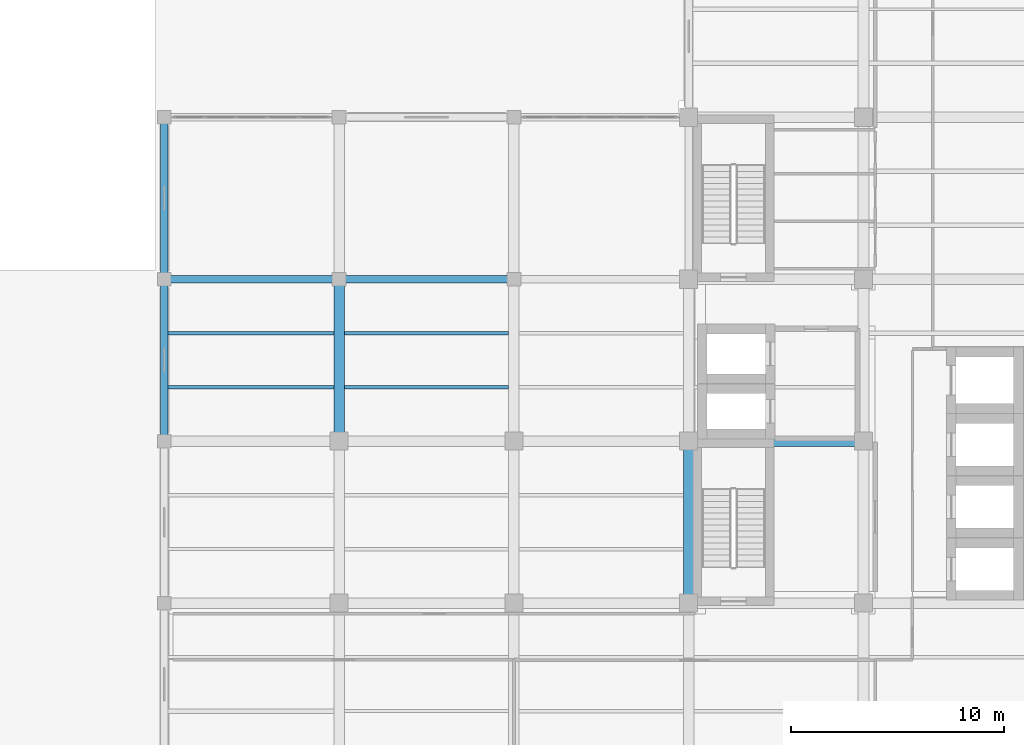
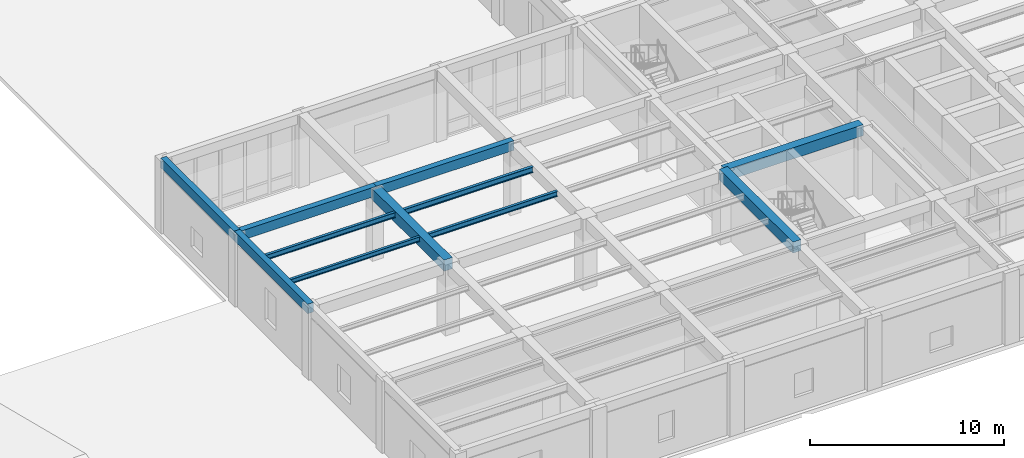
# One storey, part 3 of 23: 11 beams.
"""IFC4 building model written with IfcOpenShell, lengths in metres."""

from ifc_helpers import new_model, si_unit, direction, frame, origin, origin_2d, place, context, subcontext, project, spatial, rectangle, i_section, extrude, material, material_profile, profile_set, type_object, element, save


model = new_model("IFC4")

# Units and contexts
model_context = context("Model", 3, precision=1e-05, world=origin(), true_north=direction((0.0, 1.0)))
body_context = subcontext(model_context, "Body", "Model", "MODEL_VIEW")
ifc_project = project(units=[si_unit("LENGTHUNIT", "METRE"), si_unit("AREAUNIT", "SQUARE_METRE"), si_unit("VOLUMEUNIT", "CUBIC_METRE"), si_unit("PLANEANGLEUNIT", "RADIAN"), si_unit("MASSUNIT", "GRAM", prefix="KILO")], contexts=[model_context])

# Site, building, storey
site_placement = place(None, origin())
site = spatial("IfcSite", under=ifc_project, at=site_placement, CompositionType="ELEMENT")
building_placement = place(site_placement, origin())
building = spatial("IfcBuilding", under=site, at=building_placement, Name="Qandaris Square Conservatory and Botanical Centre", CompositionType="ELEMENT")
storey_placement = place(building_placement, frame((0.0, 0.0, 15.0)))
storey = spatial("IfcBuildingStorey", under=building, at=storey_placement, Name="L03", CompositionType="ELEMENT", Elevation=15.0)

# Beams
ifc_material_1 = material(Name="Steel S355", Category="steel")
ifc_material_profile_1 = material_profile(ifc_material_1, i_section(OverallWidth=0.14990234375, OverallDepth=0.300048828125, WebThickness=0.007080078125, FlangeThickness=0.0107421875, FilletRadius=0.014892578125, at=origin_2d()), Name="IPE 300")
ifc_profile_set_1 = profile_set([ifc_material_profile_1], Name="Steel S355")
beam_type_1 = type_object("IfcBeamType", Name="Composite Lab Joist IPE 300", PredefinedType="JOIST", material=ifc_profile_set_1)
beam_1_placement = place(storey_placement, frame((114.77490234375, 34.333251953125, 4.320068359375), z_axis=(1.0, 0.0, 0.0), x_axis=(0.0, 1.0, 0.0)))
element("IfcBeam", 1, at=beam_1_placement, inside=storey, type_object=beam_type_1, Name="L03 Composite Joist 1637", PredefinedType="JOIST", context=body_context, shape_type="SweptSolid", body=[
    extrude(i_section(OverallWidth=0.14990234375, OverallDepth=0.300048828125, WebThickness=0.007080078125, FlangeThickness=0.0107421875, FilletRadius=0.014892578125, at=origin_2d()), origin(), (0.0, 0.0, 1.0), 7.775146484375),
])
ifc_material_profile_2 = material_profile(ifc_material_1, i_section(OverallWidth=0.159912109375, OverallDepth=0.330078125, WebThickness=0.007568359375, FlangeThickness=0.011474609375, FilletRadius=0.01806640625, at=origin_2d()), Name="IPE 330")
ifc_profile_set_2 = profile_set([ifc_material_profile_2], Name="Steel S355")
beam_type_2 = type_object("IfcBeamType", Name="Composite Lab Joist IPE 330", PredefinedType="JOIST", material=ifc_profile_set_2)
beam_2_placement = place(storey_placement, frame((114.77490234375, 36.86669921875, 4.304931640625), z_axis=(1.0, 0.0, 0.0), x_axis=(0.0, 1.0, 0.0)))
element("IfcBeam", 2, at=beam_2_placement, inside=storey, type_object=beam_type_2, Name="L03 Composite Joist 1638", PredefinedType="JOIST", context=body_context, shape_type="SweptSolid", body=[
    extrude(i_section(OverallWidth=0.159912109375, OverallDepth=0.330078125, WebThickness=0.007568359375, FlangeThickness=0.011474609375, FilletRadius=0.01806640625, at=origin_2d()), origin(), (0.0, 0.0, 1.0), 7.775146484375),
])
beam_3_placement = place(storey_placement, frame((123.050048828125, 34.333251953125, 4.304931640625), z_axis=(1.0, 0.0, 0.0), x_axis=(0.0, 1.0, 0.0)))
element("IfcBeam", 3, at=beam_3_placement, inside=storey, type_object=beam_type_2, Name="L03 Composite Joist 1643", PredefinedType="JOIST", context=body_context, shape_type="SweptSolid", body=[
    extrude(i_section(OverallWidth=0.159912109375, OverallDepth=0.330078125, WebThickness=0.007568359375, FlangeThickness=0.011474609375, FilletRadius=0.01806640625, at=origin_2d()), origin(), (0.0, 0.0, 1.0), 7.699951171875),
])
ifc_material_profile_3 = material_profile(ifc_material_1, i_section(OverallWidth=0.169921875, OverallDepth=0.360107421875, WebThickness=0.008056640625, FlangeThickness=0.0126953125, FilletRadius=0.01806640625, at=origin_2d()), Name="IPE 360")
ifc_profile_set_3 = profile_set([ifc_material_profile_3], Name="Steel S355")
beam_type_3 = type_object("IfcBeamType", Name="Composite Lab Joist IPE 360", PredefinedType="JOIST", material=ifc_profile_set_3)
beam_4_placement = place(storey_placement, frame((123.050048828125, 36.86669921875, 4.2900390625), z_axis=(1.0, 0.0, 0.0), x_axis=(0.0, 1.0, 0.0)))
element("IfcBeam", 4, at=beam_4_placement, inside=storey, type_object=beam_type_3, Name="L03 Composite Joist 1644", PredefinedType="JOIST", context=body_context, shape_type="SweptSolid", body=[
    extrude(i_section(OverallWidth=0.169921875, OverallDepth=0.360107421875, WebThickness=0.008056640625, FlangeThickness=0.0126953125, FilletRadius=0.01806640625, at=origin_2d()), origin(), (0.0, 0.0, 1.0), 7.699951171875),
])
ifc_material_2 = material(Name="Concrete C50/60", Category="concrete")
ifc_material_profile_4 = material_profile(ifc_material_2, rectangle(XDim=0.35009765625, YDim=0.60009765625, at=origin_2d()), Name="RC-SP 350x600")
ifc_profile_set_4 = profile_set([ifc_material_profile_4], Name="Concrete C50/60")
beam_type_4 = type_object("IfcBeamType", Name="RC Edge Spandrel Beam 350x600", PredefinedType="SPANDREL", material=ifc_profile_set_4)
for number, where, z_axis, x_axis, name in (
    (5, (114.60009765625, 39.39990234375, 4.2451171875), (1.0, 0.0, 0.0), (0.0, 1.0, 0.0), "L03 Frame Beam 1552"),
    (6, (122.800048828125, 39.39990234375, 4.2451171875), (1.0, 0.0, 0.0), (0.0, 1.0, 0.0), "L03 Frame Beam 1553"),
):
    element("IfcBeam", number, at=place(storey_placement, frame(where, z_axis=z_axis, x_axis=x_axis)), inside=storey, type_object=beam_type_4, Name=name, PredefinedType="SPANDREL", context=body_context, shape_type="SweptSolid", body=[
        extrude(rectangle(XDim=0.35009765625, YDim=0.60009765625, at=origin_2d()), origin(), (0.0, 0.0, 1.0), 8.199951171875),
    ])
beam_5_placement = place(storey_placement, frame((114.60009765625, 31.800048828125, 4.2451171875), z_axis=(0.0, 1.0, 0.0), x_axis=(-1.0, 0.0, 0.0)))
element("IfcBeam", 7, at=beam_5_placement, inside=storey, type_object=beam_type_4, Name="L03 Frame Beam 1583", PredefinedType="SPANDREL", context=body_context, shape_type="SweptSolid", body=[
    extrude(rectangle(XDim=0.35009765625, YDim=0.60009765625, at=origin_2d()), origin(), (0.0, 0.0, 1.0), 7.599853515625),
])
beam_6_placement = place(storey_placement, frame((114.60009765625, 39.39990234375, 4.2451171875), z_axis=(0.0, 1.0, 0.0), x_axis=(-1.0, 0.0, 0.0)))
element("IfcBeam", 8, at=beam_6_placement, inside=storey, type_object=beam_type_4, Name="L03 Frame Beam 1584", PredefinedType="SPANDREL", context=body_context, shape_type="SweptSolid", body=[
    extrude(rectangle(XDim=0.35009765625, YDim=0.60009765625, at=origin_2d()), origin(), (0.0, 0.0, 1.0), 7.60009765625),
])
ifc_material_profile_5 = material_profile(ifc_material_2, rectangle(XDim=0.5, YDim=0.699951171875, at=origin_2d()), Name="RC-BM 500x700")
ifc_profile_set_5 = profile_set([ifc_material_profile_5], Name="Concrete C50/60")
beam_type_5 = type_object("IfcBeamType", Name="RC Floor Girder 500x700", PredefinedType="BEAM", material=ifc_profile_set_5)
beam_7_placement = place(storey_placement, frame((139.199951171875, 31.800048828125, 4.1298828125), z_axis=(1.0, 0.0, 0.0), x_axis=(0.0, 1.0, 0.0)))
element("IfcBeam", 9, at=beam_7_placement, inside=storey, type_object=beam_type_5, Name="L03 Frame Beam 1550", PredefinedType="BEAM", context=body_context, shape_type="SweptSolid", body=[
    extrude(rectangle(XDim=0.5, YDim=0.699951171875, at=origin_2d()), origin(), (0.0, 0.0, 1.0), 8.199951171875),
])
beam_8_placement = place(storey_placement, frame((122.800048828125, 31.800048828125, 4.1298828125), z_axis=(0.0, 1.0, 0.0), x_axis=(-1.0, 0.0, 0.0)))
element("IfcBeam", 10, at=beam_8_placement, inside=storey, type_object=beam_type_5, Name="L03 Frame Beam 1587", PredefinedType="BEAM", context=body_context, shape_type="SweptSolid", body=[
    extrude(rectangle(XDim=0.5, YDim=0.699951171875, at=origin_2d()), origin(), (0.0, 0.0, 1.0), 7.599853515625),
])
beam_9_placement = place(storey_placement, frame((139.199951171875, 24.199951171875, 4.1298828125), z_axis=(0.0, 1.0, 0.0), x_axis=(-1.0, 0.0, 0.0)))
element("IfcBeam", 11, at=beam_9_placement, inside=storey, type_object=beam_type_5, Name="L03 Frame Beam 1594", PredefinedType="BEAM", context=body_context, shape_type="SweptSolid", body=[
    extrude(rectangle(XDim=0.5, YDim=0.699951171875, at=origin_2d()), origin(), (0.0, 0.0, 1.0), 7.60009765625),
])

save(model, "model.ifc")
